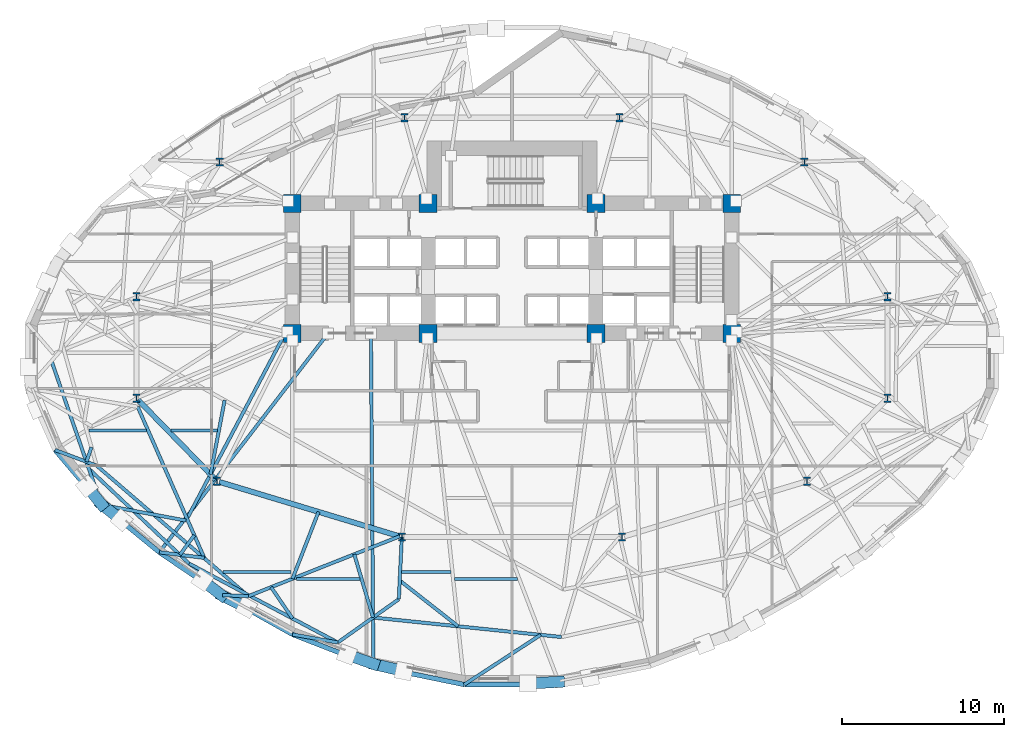
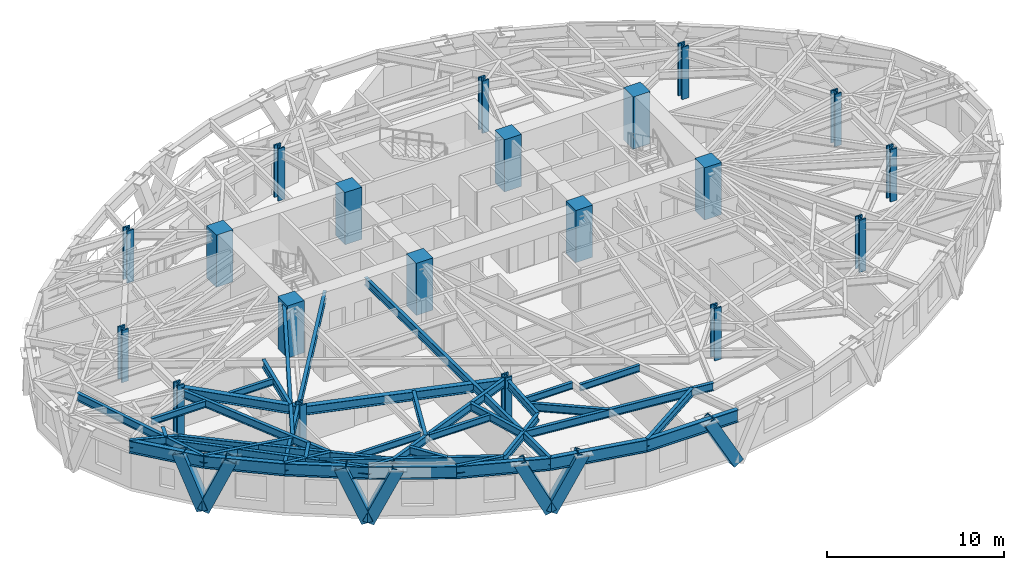
# One storey, part 1 of 17: 40 beams, 20 columns, 7 members.
"""IFC4 building model written with IfcOpenShell, lengths in metres."""

from ifc_helpers import new_model, si_unit, direction, frame, origin, origin_2d, place, context, subcontext, project, spatial, rectangle, hollow_rectangle, i_section, extrude, material, material_profile, profile_set, type_object, element, save


model = new_model("IFC4")

# Units and contexts
model_context = context("Model", 3, precision=1e-05, world=origin(), true_north=direction((0.0, 1.0)))
body_context = subcontext(model_context, "Body", "Model", "MODEL_VIEW")
ifc_project = project(units=[si_unit("LENGTHUNIT", "METRE"), si_unit("AREAUNIT", "SQUARE_METRE"), si_unit("VOLUMEUNIT", "CUBIC_METRE"), si_unit("PLANEANGLEUNIT", "RADIAN"), si_unit("MASSUNIT", "GRAM", prefix="KILO")], contexts=[model_context])

# Site, building, storey
site_placement = place(None, origin())
site = spatial("IfcSite", under=ifc_project, at=site_placement, CompositionType="ELEMENT")
building_placement = place(site_placement, origin())
building = spatial("IfcBuilding", under=site, at=building_placement, Name="Keldmark Tower", CompositionType="ELEMENT")
storey_placement = place(building_placement, frame((0.0, 0.0, 70.199951171875)))
storey = spatial("IfcBuildingStorey", under=building, at=storey_placement, Name="L18", CompositionType="ELEMENT", Elevation=70.199951171875)

# Columns
ifc_material_1 = material(Name="Concrete C70/85", Category="concrete")
ifc_material_profile_1 = material_profile(ifc_material_1, rectangle(XDim=1.10009765625, YDim=1.10009765625, at=origin_2d()), Name="RC1100X1100")
ifc_profile_set_1 = profile_set([ifc_material_profile_1], Name="Concrete C70/85")
column_type_1 = type_object("IfcColumnType", Name="Core Boundary Column RC1100", PredefinedType="COLUMN", material=ifc_profile_set_1)
for number, where, z_axis, x_axis, name in (
    (1, (-13.60009765625, 1.39990234375, 0.0), (0.0, 0.0, 1.0), (1.0, 0.0, 0.0), "L18 Core Boundary Column CC-W1"),
    (2, (-13.60009765625, 9.449951171875, 0.0), (0.0, 0.0, 1.0), (1.0, 0.0, 0.0), "L18 Core Boundary Column CC-W2"),
    (3, (-5.199951171875, 1.39990234375, 0.0), (0.0, 0.0, 1.0), (1.0, 0.0, 0.0), "L18 Core Boundary Column CC-W3"),
    (4, (-5.199951171875, 9.449951171875, 0.0), (0.0, 0.0, 1.0), (1.0, 0.0, 0.0), "L18 Core Boundary Column CC-W4"),
    (5, (5.199951171875, 1.39990234375, 0.0), (0.0, 0.0, 1.0), (1.0, 0.0, 0.0), "L18 Core Boundary Column CC-E1"),
    (6, (5.199951171875, 9.449951171875, 0.0), (0.0, 0.0, 1.0), (1.0, 0.0, 0.0), "L18 Core Boundary Column CC-E2"),
    (7, (13.60009765625, 1.39990234375, 0.0), (0.0, 0.0, 1.0), (1.0, 0.0, 0.0), "L18 Core Boundary Column CC-E3"),
    (8, (13.60009765625, 9.449951171875, 0.0), (0.0, 0.0, 1.0), (1.0, 0.0, 0.0), "L18 Core Boundary Column CC-E4"),
):
    element("IfcColumn", number, at=place(storey_placement, frame(where, z_axis=z_axis, x_axis=x_axis)), inside=storey, type_object=column_type_1, Name=name, PredefinedType="COLUMN", context=body_context, shape_type="SweptSolid", body=[
        extrude(rectangle(XDim=1.10009765625, YDim=1.10009765625, at=origin_2d()), origin(), (0.0, 0.0, 1.0), 3.60009765625),
    ])
ifc_material_2 = material(Name="Steel ASTM A992 Grade 50", Category="steel")
ifc_material_profile_2 = material_profile(ifc_material_2, i_section(OverallWidth=0.43701171875, OverallDepth=0.513916015625, WebThickness=0.060546875, FlangeThickness=0.096923828125, at=origin_2d()), Name="W14X550")
ifc_profile_set_2 = profile_set([ifc_material_profile_2], Name="Steel ASTM A992 Grade 50")
column_type_2 = type_object("IfcColumnType", Name="Tower Gravity Column W14X550", PredefinedType="COLUMN", material=ifc_profile_set_2)
for number, where, z_axis, x_axis, name in (
    (9, (23.25390625, 3.67724609375, 0.0), (0.0, 0.0, 1.0), (1.0, 0.0, 0.0), "L18 Tower Gravity Column TC-E1"),
    (10, (18.09765625, 12.00732421875, 0.0), (0.0, 0.0, 1.0), (1.0, 0.0, 0.0), "L18 Tower Gravity Column TC-E4"),
    (11, (6.6650390625, 14.760009765625, 0.0), (0.0, 0.0, 1.0), (1.0, 0.0, 0.0), "L18 Tower Gravity Column TC-N2"),
    (12, (-6.6650390625, 14.760009765625, 0.0), (0.0, 0.0, 1.0), (1.0, 0.0, 0.0), "L18 Tower Gravity Column TC-N1"),
    (13, (-18.09765625, 12.00732421875, 0.0), (0.0, 0.0, 1.0), (1.0, 0.0, 0.0), "L18 Tower Gravity Column TC-W4"),
    (14, (-23.25390625, 3.67724609375, 0.0), (0.0, 0.0, 1.0), (1.0, 0.0, 0.0), "L18 Tower Gravity Column TC-W1"),
    (15, (-23.25390625, -2.61328125, 0.0), (0.0, 0.0, 1.0), (1.0, 0.0, 0.0), "L18 Tower Gravity Column TC-W5"),
    (16, (-18.252685546875, -7.755615234375, 0.0), (0.0, 0.0, 1.0), (1.0, 0.0, 0.0), "L18 Tower Gravity Column TC-W2"),
    (17, (-6.822021484375, -11.205810546875, 0.0), (0.0, 0.0, 1.0), (1.0, 0.0, 0.0), "L18 Tower Gravity Column TC-W3"),
    (18, (6.822021484375, -11.205810546875, 0.0), (0.0, 0.0, 1.0), (1.0, 0.0, 0.0), "L18 Tower Gravity Column TC-E3"),
    (19, (18.252685546875, -7.755615234375, 0.0), (0.0, 0.0, 1.0), (1.0, 0.0, 0.0), "L18 Tower Gravity Column TC-E2"),
    (20, (23.25390625, -2.61328125, 0.0), (0.0, 0.0, 1.0), (1.0, 0.0, 0.0), "L18 Tower Gravity Column TC-E5"),
):
    element("IfcColumn", number, at=place(storey_placement, frame(where, z_axis=z_axis, x_axis=x_axis)), inside=storey, type_object=column_type_2, Name=name, PredefinedType="COLUMN", context=body_context, shape_type="SweptSolid", body=[
        extrude(i_section(OverallWidth=0.43701171875, OverallDepth=0.513916015625, WebThickness=0.060546875, FlangeThickness=0.096923828125, at=origin_2d()), origin(), (0.0, 0.0, 1.0), 3.60009765625),
    ])

# Beams
ifc_material_3 = material(Name="Steel ASTM A992 Grade 50", Category="steel")
ifc_material_profile_3 = material_profile(ifc_material_3, i_section(OverallWidth=0.19091796875, OverallDepth=0.45703125, WebThickness=0.009033203125, FlangeThickness=0.014404296875, at=origin_2d()), Name="W18X50")
ifc_profile_set_3 = profile_set([ifc_material_profile_3], Name="Steel ASTM A992 Grade 50")
beam_type_1 = type_object("IfcBeamType", Name="Composite Floor Joist W18X50", PredefinedType="JOIST", material=ifc_profile_set_3)
beam_1_placement = place(storey_placement, frame((-17.904052734375, -13.3798828125, 3.171630859375), z_axis=(1.0, 0.0, 0.0), x_axis=(0.0, 1.0, 0.0)))
element("IfcBeam", 21, at=beam_1_placement, inside=storey, type_object=beam_type_1, Name="L18 Composite Floor Joist J01", PredefinedType="JOIST", context=body_context, shape_type="SweptSolid", body=[
    extrude(i_section(OverallWidth=0.19091796875, OverallDepth=0.45703125, WebThickness=0.009033203125, FlangeThickness=0.014404296875, at=origin_2d()), origin(), (0.0, 0.0, 1.0), 4.215576171875),
])
beam_2_placement = place(storey_placement, frame((-13.345947265625, -13.800048828125, 3.171630859375), z_axis=(1.0, 0.0, 0.0), x_axis=(0.0, 1.0, 0.0)))
element("IfcBeam", 22, at=beam_2_placement, inside=storey, type_object=beam_type_1, Name="L18 Composite Floor Joist J02", PredefinedType="JOIST", context=body_context, shape_type="SweptSolid", body=[
    extrude(i_section(OverallWidth=0.19091796875, OverallDepth=0.45703125, WebThickness=0.009033203125, FlangeThickness=0.014404296875, at=origin_2d()), origin(), (0.0, 0.0, 1.0), 3.93115234375),
])
beam_3_placement = place(storey_placement, frame((-6.830078125, -13.3798828125, 3.171630859375), z_axis=(1.0, 0.0, 0.0), x_axis=(0.0, 1.0, 0.0)))
element("IfcBeam", 23, at=beam_3_placement, inside=storey, type_object=beam_type_1, Name="L18 Composite Floor Joist J03", PredefinedType="JOIST", context=body_context, shape_type="SweptSolid", body=[
    extrude(i_section(OverallWidth=0.19091796875, OverallDepth=0.45703125, WebThickness=0.009033203125, FlangeThickness=0.014404296875, at=origin_2d()), origin(), (0.0, 0.0, 1.0), 3.044189453125),
])
beam_4_placement = place(storey_placement, frame((-3.548583984375, -13.800048828125, 3.171630859375), z_axis=(1.0, 0.0, 0.0), x_axis=(0.0, 1.0, 0.0)))
element("IfcBeam", 24, at=beam_4_placement, inside=storey, type_object=beam_type_1, Name="L18 Composite Floor Joist J04", PredefinedType="JOIST", context=body_context, shape_type="SweptSolid", body=[
    extrude(i_section(OverallWidth=0.19091796875, OverallDepth=0.45703125, WebThickness=0.009033203125, FlangeThickness=0.014404296875, at=origin_2d()), origin(), (0.0, 0.0, 1.0), 3.89404296875),
])
beam_5_placement = place(storey_placement, frame((-26.190185546875, -4.60009765625, 3.171630859375), z_axis=(1.0, 0.0, 0.0), x_axis=(0.0, 1.0, 0.0)))
element("IfcBeam", 25, at=beam_5_placement, inside=storey, type_object=beam_type_1, Name="L18 Composite Floor Joist J08", PredefinedType="JOIST", context=body_context, shape_type="SweptSolid", body=[
    extrude(i_section(OverallWidth=0.19091796875, OverallDepth=0.45703125, WebThickness=0.009033203125, FlangeThickness=0.014404296875, at=origin_2d()), origin(), (0.0, 0.0, 1.0), 3.54833984375),
])
beam_6_placement = place(storey_placement, frame((-21.1064453125, -4.60009765625, 3.171630859375), z_axis=(1.0, 0.0, 0.0), x_axis=(0.0, 1.0, 0.0)))
element("IfcBeam", 26, at=beam_6_placement, inside=storey, type_object=beam_type_1, Name="L18 Composite Floor Joist J09", PredefinedType="JOIST", context=body_context, shape_type="SweptSolid", body=[
    extrude(i_section(OverallWidth=0.19091796875, OverallDepth=0.45703125, WebThickness=0.009033203125, FlangeThickness=0.014404296875, at=origin_2d()), origin(), (0.0, 0.0, 1.0), 2.861083984375),
])

# Members
ifc_material_4 = material(Name="Steel ASTM A572 Grade 50", Category="steel")
ifc_material_profile_4 = material_profile(ifc_material_4, hollow_rectangle(XDim=0.699951171875, YDim=0.699951171875, WallThickness=0.054931640625, at=origin_2d()), Name="BOX700X700X55")
ifc_profile_set_4 = profile_set([ifc_material_profile_4], Name="Steel ASTM A572 Grade 50")
member_type = type_object("IfcMemberType", Name="Diagrid Zone 1 Brace BOX700X700X55", PredefinedType="BRACE", material=ifc_profile_set_4)
member_1_placement = place(storey_placement, frame((-25.398193359375, -9.208740234375, -0.280029296875), z_axis=(-0.24071139751, 0.296547822261, 0.924184728407), x_axis=(-0.776413377825, -0.630223981402, 0.0)))
element("IfcMember", 27, at=member_1_placement, inside=storey, type_object=member_type, Name="L18 Perimeter Diagrid Brace 09B", PredefinedType="BRACE", context=body_context, shape_type="SweptSolid", body=[
    extrude(hollow_rectangle(XDim=0.699951171875, YDim=0.699951171875, WallThickness=0.054931640625, at=origin_2d()), origin(), (0.0, 0.0, 1.0), 3.85205078125),
])
member_2_placement = place(storey_placement, frame((-25.402587890625, -9.19775390625, -0.280029296875), z_axis=(0.315248396849, -0.249121591693, 0.915727514513), x_axis=(0.620014148641, 0.784590629236, 0.0)))
element("IfcMember", 28, at=member_2_placement, inside=storey, type_object=member_type, Name="L18 Perimeter Diagrid Brace 10A", PredefinedType="BRACE", context=body_context, shape_type="SweptSolid", body=[
    extrude(hollow_rectangle(XDim=0.699951171875, YDim=0.699951171875, WallThickness=0.054931640625, at=origin_2d()), origin(), (0.0, 0.0, 1.0), 3.8876953125),
])
member_3_placement = place(storey_placement, frame((-17.95361328125, -14.833984375, -0.280029296875), z_axis=(-0.316031043879, 0.244425840184, 0.916722634146), x_axis=(-0.611792278259, -0.791018462656, 0.0)))
element("IfcMember", 29, at=member_3_placement, inside=storey, type_object=member_type, Name="L18 Perimeter Diagrid Brace 10B", PredefinedType="BRACE", context=body_context, shape_type="SweptSolid", body=[
    extrude(hollow_rectangle(XDim=0.699951171875, YDim=0.699951171875, WallThickness=0.054931640625, at=origin_2d()), origin(), (0.0, 0.0, 1.0), 3.883544921875),
])
member_4_placement = place(storey_placement, frame((-17.9619140625, -14.82568359375, -0.280029296875), z_axis=(0.385982173744, -0.189399979063, 0.902854035536), x_axis=(0.440519164333, 0.897743207078, 0.0)))
element("IfcMember", 30, at=member_4_placement, inside=storey, type_object=member_type, Name="L18 Perimeter Diagrid Brace 11A", PredefinedType="BRACE", context=body_context, shape_type="SweptSolid", body=[
    extrude(hollow_rectangle(XDim=0.699951171875, YDim=0.699951171875, WallThickness=0.054931640625, at=origin_2d()), origin(), (0.0, 0.0, 1.0), 3.943115234375),
])
member_5_placement = place(storey_placement, frame((-8.531982421875, -19.082275390625, -0.280029296875), z_axis=(-0.424501493486, 0.149665558292, 0.892971837568), x_axis=(-0.33250697435, -0.943100796314, 0.0)))
element("IfcMember", 31, at=member_5_placement, inside=storey, type_object=member_type, Name="L18 Perimeter Diagrid Brace 11B", PredefinedType="BRACE", context=body_context, shape_type="SweptSolid", body=[
    extrude(hollow_rectangle(XDim=0.699951171875, YDim=0.699951171875, WallThickness=0.054931640625, at=origin_2d()), origin(), (0.0, 0.0, 1.0), 3.98681640625),
])
member_6_placement = place(storey_placement, frame((-8.54296875, -19.077880859375, -0.280029296875), z_axis=(0.458929368937, -0.108548981057, 0.881816847785), x_axis=(0.230175603332, 0.973149110687, 0.0)))
element("IfcMember", 32, at=member_6_placement, inside=storey, type_object=member_type, Name="L18 Perimeter Diagrid Brace 12A", PredefinedType="BRACE", context=body_context, shape_type="SweptSolid", body=[
    extrude(hollow_rectangle(XDim=0.699951171875, YDim=0.699951171875, WallThickness=0.054931640625, at=origin_2d()), origin(), (0.0, 0.0, 1.0), 4.037109375),
])
member_7_placement = place(storey_placement, frame((2.944580078125, -20.171142578125, -0.280029296875), z_axis=(-0.480891950944, -0.028185244313, 0.876326721903), x_axis=(0.058509937696, -0.998286826113, 0.0)))
element("IfcMember", 33, at=member_7_placement, inside=storey, type_object=member_type, Name="L18 Perimeter Diagrid Brace 12B", PredefinedType="BRACE", context=body_context, shape_type="SweptSolid", body=[
    extrude(hollow_rectangle(XDim=0.699951171875, YDim=0.699951171875, WallThickness=0.054931640625, at=origin_2d()), origin(), (0.0, 0.0, 1.0), 4.0625),
])

# Beams
ifc_material_5 = material(Name="Steel ASTM A992 Grade 50", Category="steel")
ifc_material_profile_5 = material_profile(ifc_material_5, i_section(OverallWidth=0.323974609375, OverallDepth=0.611083984375, WebThickness=0.0126953125, FlangeThickness=0.01904296875, at=origin_2d()), Name="W24X104")
ifc_profile_set_5 = profile_set([ifc_material_profile_5], Name="Steel ASTM A992 Grade 50")
beam_type_2 = type_object("IfcBeamType", Name="Primary Floor Girder W24X104", PredefinedType="BEAM", material=ifc_profile_set_5)
beam_7_placement = place(storey_placement, frame((-23.156494140625, -2.713623046875, 3.094482421875), z_axis=(0.697210382268, -0.716866572563, 0.0), x_axis=(0.716866572563, 0.697210382268, 0.0)))
element("IfcBeam", 34, at=beam_7_placement, inside=storey, type_object=beam_type_2, Name="L18 Floor Ring Girder FG-R07", PredefinedType="BEAM", context=body_context, shape_type="SweptSolid", body=[
    extrude(i_section(OverallWidth=0.323974609375, OverallDepth=0.611083984375, WebThickness=0.0126953125, FlangeThickness=0.01904296875, at=origin_2d()), origin(), (0.0, 0.0, 1.0), 6.893310546875),
])
beam_8_placement = place(storey_placement, frame((-18.118896484375, -7.796142578125, 3.094482421875), z_axis=(0.957346071406, -0.2889437654, 0.0), x_axis=(0.2889437654, 0.957346071406, 0.0)))
element("IfcBeam", 35, at=beam_8_placement, inside=storey, type_object=beam_type_2, Name="L18 Floor Ring Girder FG-R08", PredefinedType="BEAM", context=body_context, shape_type="SweptSolid", body=[
    extrude(i_section(OverallWidth=0.323974609375, OverallDepth=0.611083984375, WebThickness=0.0126953125, FlangeThickness=0.01904296875, at=origin_2d()), origin(), (0.0, 0.0, 1.0), 11.66015625),
])
ifc_material_6 = material(Name="Steel ASTM A992 Grade 50", Category="steel")
ifc_material_profile_6 = material_profile(ifc_material_6, i_section(OverallWidth=0.2099609375, OverallDepth=0.537109375, WebThickness=0.010986328125, FlangeThickness=0.017333984375, at=origin_2d()), Name="W21X68")
ifc_profile_set_6 = profile_set([ifc_material_profile_6], Name="Steel ASTM A992 Grade 50")
beam_type_3 = type_object("IfcBeamType", Name="Radial Tie Girder W21X68", PredefinedType="BEAM", material=ifc_profile_set_6)
beam_9_placement = place(storey_placement, frame((-28.296630859375, -5.8203125, 3.131591796875), z_axis=(0.936536858672, -0.350569126349, 0.0), x_axis=(0.350569126349, 0.936536858672, 0.0)))
element("IfcBeam", 36, at=beam_9_placement, inside=storey, type_object=beam_type_3, Name="L18 Local Collector Chord RT-19C", PredefinedType="BEAM", context=body_context, shape_type="SweptSolid", body=[
    extrude(i_section(OverallWidth=0.2099609375, OverallDepth=0.537109375, WebThickness=0.010986328125, FlangeThickness=0.017333984375, at=origin_2d()), origin(), (0.0, 0.0, 1.0), 2.75146484375),
])
beam_10_placement = place(storey_placement, frame((-26.041259765625, -5.648681640625, 3.131591796875), z_axis=(-0.324219397928, -0.945981914207, 0.0), x_axis=(0.945981914207, -0.324219397928, 0.0)))
element("IfcBeam", 37, at=beam_10_placement, inside=storey, type_object=beam_type_3, Name="L18 Framing Pin Header PH-031", PredefinedType="BEAM", context=body_context, shape_type="SweptSolid", body=[
    extrude(i_section(OverallWidth=0.2099609375, OverallDepth=0.537109375, WebThickness=0.010986328125, FlangeThickness=0.017333984375, at=origin_2d()), origin(), (0.0, 0.0, 1.0), 0.951904296875),
])
beam_11_placement = place(storey_placement, frame((-28.51318359375, -0.30615234375, 3.131591796875), z_axis=(0.327437810304, -0.944872732374, 0.0), x_axis=(0.944872732374, 0.327437810304, 0.0)))
element("IfcBeam", 38, at=beam_11_placement, inside=storey, type_object=beam_type_3, Name="L18 Perimeter Radial Tie Girder RT-19", PredefinedType="BEAM", context=body_context, shape_type="SweptSolid", body=[
    extrude(i_section(OverallWidth=0.2099609375, OverallDepth=0.537109375, WebThickness=0.010986328125, FlangeThickness=0.017333984375, at=origin_2d()), origin(), (0.0, 0.0, 1.0), 9.428955078125),
])
beam_12_placement = place(storey_placement, frame((-17.791748046875, -2.735595703125, 3.131591796875), z_axis=(-0.187392817072, -0.982285056442, 0.0), x_axis=(0.982285056442, -0.187392817072, 0.0)))
element("IfcBeam", 39, at=beam_12_placement, inside=storey, type_object=beam_type_3, Name="L18 Framing Pin Header PH-032", PredefinedType="BEAM", context=body_context, shape_type="SweptSolid", body=[
    extrude(i_section(OverallWidth=0.2099609375, OverallDepth=0.537109375, WebThickness=0.010986328125, FlangeThickness=0.017333984375, at=origin_2d()), origin(), (0.0, 0.0, 1.0), 4.67578125),
])
beam_13_placement = place(storey_placement, frame((-14.050048828125, 1.39990234375, 3.131591796875), z_axis=(-0.467632813304, -0.883922820116, 0.0), x_axis=(0.883922820116, -0.467632813304, 0.0)))
element("IfcBeam", 40, at=beam_13_placement, inside=storey, type_object=beam_type_3, Name="L18 Intermediate Radial Step Girder RT-20M", PredefinedType="BEAM", context=body_context, shape_type="SweptSolid", body=[
    extrude(i_section(OverallWidth=0.2099609375, OverallDepth=0.537109375, WebThickness=0.010986328125, FlangeThickness=0.017333984375, at=origin_2d()), origin(), (0.0, 0.0, 1.0), 13.114501953125),
])
beam_14_placement = place(storey_placement, frame((-25.42578125, -9.21533203125, 3.131591796875), z_axis=(0.983075254112, -0.183202196366, 0.0), x_axis=(0.183202196366, 0.983075254112, 0.0)))
element("IfcBeam", 41, at=beam_14_placement, inside=storey, type_object=beam_type_3, Name="L18 Local Collector Chord RT-20C", PredefinedType="BEAM", context=body_context, shape_type="SweptSolid", body=[
    extrude(i_section(OverallWidth=0.2099609375, OverallDepth=0.537109375, WebThickness=0.010986328125, FlangeThickness=0.017333984375, at=origin_2d()), origin(), (0.0, 0.0, 1.0), 5.333251953125),
])
beam_15_placement = place(storey_placement, frame((-11.392822265625, 1.39990234375, 3.131591796875), z_axis=(-0.610456581612, -0.792049721903, 0.0), x_axis=(0.792049721903, -0.610456581612, 0.0)))
element("IfcBeam", 42, at=beam_15_placement, inside=storey, type_object=beam_type_3, Name="L18 Perimeter Radial Tie Girder RT-20", PredefinedType="BEAM", context=body_context, shape_type="SweptSolid", body=[
    extrude(i_section(OverallWidth=0.2099609375, OverallDepth=0.537109375, WebThickness=0.010986328125, FlangeThickness=0.017333984375, at=origin_2d()), origin(), (0.0, 0.0, 1.0), 17.110595703125),
])
beam_16_placement = place(storey_placement, frame((-23.178955078125, -3.14306640625, 3.131591796875), z_axis=(0.403509719417, -0.914975358322, 0.0), x_axis=(0.914975358322, 0.403509719417, 0.0)))
element("IfcBeam", 43, at=beam_16_placement, inside=storey, type_object=beam_type_3, Name="L18 Intermediate Radial Step Girder RT-21M", PredefinedType="BEAM", context=body_context, shape_type="SweptSolid", body=[
    extrude(i_section(OverallWidth=0.2099609375, OverallDepth=0.537109375, WebThickness=0.010986328125, FlangeThickness=0.017333984375, at=origin_2d()), origin(), (0.0, 0.0, 1.0), 10.226318359375),
])
beam_17_placement = place(storey_placement, frame((-21.838134765625, -12.152587890625, 3.131591796875), z_axis=(0.992312625158, -0.123756429939, 0.0), x_axis=(0.123756429939, 0.992312625158, 0.0)))
element("IfcBeam", 44, at=beam_17_placement, inside=storey, type_object=beam_type_3, Name="L18 Local Collector Chord RT-21C", PredefinedType="BEAM", context=body_context, shape_type="SweptSolid", body=[
    extrude(i_section(OverallWidth=0.2099609375, OverallDepth=0.537109375, WebThickness=0.010986328125, FlangeThickness=0.017333984375, at=origin_2d()), origin(), (0.0, 0.0, 1.0), 2.80712890625),
])
beam_18_placement = place(storey_placement, frame((-19.67138671875, -11.096435546875, 3.131591796875), z_axis=(-0.592016338169, -0.805925961451, 0.0), x_axis=(0.805925961451, -0.592016338169, 0.0)))
element("IfcBeam", 45, at=beam_18_placement, inside=storey, type_object=beam_type_3, Name="L18 Framing Pin Header PH-033", PredefinedType="BEAM", context=body_context, shape_type="SweptSolid", body=[
    extrude(i_section(OverallWidth=0.2099609375, OverallDepth=0.537109375, WebThickness=0.010986328125, FlangeThickness=0.017333984375, at=origin_2d()), origin(), (0.0, 0.0, 1.0), 1.5078125),
])
beam_19_placement = place(storey_placement, frame((-26.19775390625, -6.988037109375, 3.131591796875), z_axis=(0.726829380415, -0.686818063075, 0.0), x_axis=(0.686818063075, 0.726829380415, 0.0)))
element("IfcBeam", 46, at=beam_19_placement, inside=storey, type_object=beam_type_3, Name="L18 Perimeter Radial Tie Girder RT-21", PredefinedType="BEAM", context=body_context, shape_type="SweptSolid", body=[
    extrude(i_section(OverallWidth=0.2099609375, OverallDepth=0.537109375, WebThickness=0.010986328125, FlangeThickness=0.017333984375, at=origin_2d()), origin(), (0.0, 0.0, 1.0), 11.385986328125),
])
beam_20_placement = place(storey_placement, frame((-25.7197265625, -6.784912109375, 3.131591796875), z_axis=(0.758064078884, -0.652180076594, 0.0), x_axis=(0.652180076594, 0.758064078884, 0.0)))
element("IfcBeam", 47, at=beam_20_placement, inside=storey, type_object=beam_type_3, Name="L18 Intermediate Radial Step Girder RT-22M", PredefinedType="BEAM", context=body_context, shape_type="SweptSolid", body=[
    extrude(i_section(OverallWidth=0.2099609375, OverallDepth=0.537109375, WebThickness=0.010986328125, FlangeThickness=0.017333984375, at=origin_2d()), origin(), (0.0, 0.0, 1.0), 12.39794921875),
])
beam_21_placement = place(storey_placement, frame((-17.922119140625, -14.80810546875, 3.131591796875), z_axis=(0.999238721756, -0.039012522917, 0.0), x_axis=(0.039012522917, 0.999238721756, 0.0)))
element("IfcBeam", 48, at=beam_21_placement, inside=storey, type_object=beam_type_3, Name="L18 Local Collector Chord RT-22C", PredefinedType="BEAM", context=body_context, shape_type="SweptSolid", body=[
    extrude(i_section(OverallWidth=0.2099609375, OverallDepth=0.537109375, WebThickness=0.010986328125, FlangeThickness=0.017333984375, at=origin_2d()), origin(), (0.0, 0.0, 1.0), 1.60205078125),
])
beam_22_placement = place(storey_placement, frame((-16.3212890625, -14.87060546875, 3.131591796875), z_axis=(0.929866051593, 0.367898255084, 0.0), x_axis=(-0.367898255084, 0.929866051593, 0.0)))
element("IfcBeam", 49, at=beam_22_placement, inside=storey, type_object=beam_type_3, Name="L18 Straddling Support Chord RT-22RB", PredefinedType="BEAM", context=body_context, shape_type="SweptSolid", body=[
    extrude(i_section(OverallWidth=0.2099609375, OverallDepth=0.537109375, WebThickness=0.010986328125, FlangeThickness=0.017333984375, at=origin_2d()), origin(), (0.0, 0.0, 1.0), 10.071533203125),
])
beam_23_placement = place(storey_placement, frame((-11.979248046875, -9.649169921875, 3.131591796875), z_axis=(-0.362918047298, -0.931821061656, 0.0), x_axis=(0.931821061656, -0.362918047298, 0.0)))
element("IfcBeam", 50, at=beam_23_placement, inside=storey, type_object=beam_type_3, Name="L18 Framing Pin Header PH-045", PredefinedType="BEAM", context=body_context, shape_type="SweptSolid", body=[
    extrude(i_section(OverallWidth=0.2099609375, OverallDepth=0.537109375, WebThickness=0.010986328125, FlangeThickness=0.017333984375, at=origin_2d()), origin(), (0.0, 0.0, 1.0), 4.444580078125),
])
beam_24_placement = place(storey_placement, frame((-14.91650390625, -14.314697265625, 3.131591796875), z_axis=(0.564788316155, -0.82523581959, 0.0), x_axis=(0.82523581959, 0.564788316155, 0.0)))
element("IfcBeam", 51, at=beam_24_placement, inside=storey, type_object=beam_type_3, Name="L18 Framing Pin Header PH-046", PredefinedType="BEAM", context=body_context, shape_type="SweptSolid", body=[
    extrude(i_section(OverallWidth=0.2099609375, OverallDepth=0.537109375, WebThickness=0.010986328125, FlangeThickness=0.017333984375, at=origin_2d()), origin(), (0.0, 0.0, 1.0), 2.34716796875),
])
beam_25_placement = place(storey_placement, frame((-19.990966796875, -12.85302734375, 3.131591796875), z_axis=(0.883188813892, -0.469017610561, 0.0), x_axis=(0.469017610561, 0.883188813892, 0.0)))
element("IfcBeam", 52, at=beam_25_placement, inside=storey, type_object=beam_type_3, Name="L18 Crown Step Radial Girder RT-23RN1", PredefinedType="BEAM", context=body_context, shape_type="SweptSolid", body=[
    extrude(i_section(OverallWidth=0.2099609375, OverallDepth=0.537109375, WebThickness=0.010986328125, FlangeThickness=0.017333984375, at=origin_2d()), origin(), (0.0, 0.0, 1.0), 10.420654296875),
])
beam_26_placement = place(storey_placement, frame((-10.78759765625, -17.740478515625, 3.131591796875), z_axis=(-0.984486881248, 0.175458202006, 0.0), x_axis=(-0.175458202006, -0.984486881248, 0.0)))
element("IfcBeam", 53, at=beam_26_placement, inside=storey, type_object=beam_type_3, Name="L18 Crown Step Collector Chord RT-23RP1", PredefinedType="BEAM", context=body_context, shape_type="SweptSolid", body=[
    extrude(i_section(OverallWidth=0.2099609375, OverallDepth=0.537109375, WebThickness=0.010986328125, FlangeThickness=0.017333984375, at=origin_2d()), origin(), (0.0, 0.0, 1.0), 2.846923828125),
])
beam_27_placement = place(storey_placement, frame((-6.822021484375, -11.205810546875, 3.131591796875), z_axis=(-0.04781186527, -0.998856358812, 0.0), x_axis=(0.998856358812, -0.04781186527, 0.0)))
element("IfcBeam", 54, at=beam_27_placement, inside=storey, type_object=beam_type_3, Name="L18 Column Step Bracket RT-23RS", PredefinedType="BEAM", context=body_context, shape_type="SweptSolid", body=[
    extrude(i_section(OverallWidth=0.2099609375, OverallDepth=0.537109375, WebThickness=0.010986328125, FlangeThickness=0.017333984375, at=origin_2d()), origin(), (0.0, 0.0, 1.0), 3.855224609375),
])
beam_28_placement = place(storey_placement, frame((-7.00634765625, -15.056640625, 3.131591796875), z_axis=(-0.815469466984, -0.578800093657, 0.0), x_axis=(0.578800093657, -0.815469466984, 0.0)))
element("IfcBeam", 55, at=beam_28_placement, inside=storey, type_object=beam_type_3, Name="L18 Column Step Chord RT-23RK", PredefinedType="BEAM", context=body_context, shape_type="SweptSolid", body=[
    extrude(i_section(OverallWidth=0.2099609375, OverallDepth=0.537109375, WebThickness=0.010986328125, FlangeThickness=0.017333984375, at=origin_2d()), origin(), (0.0, 0.0, 1.0), 4.636962890625),
])
beam_29_placement = place(storey_placement, frame((-9.765625, -12.27685546875, 3.131591796875), z_axis=(0.28406593635, -0.958804747488, 0.0), x_axis=(0.958804747488, 0.28406593635, 0.0)))
element("IfcBeam", 56, at=beam_29_placement, inside=storey, type_object=beam_type_3, Name="L18 Framing Pin Header PH-047", PredefinedType="BEAM", context=body_context, shape_type="SweptSolid", body=[
    extrude(i_section(OverallWidth=0.2099609375, OverallDepth=0.537109375, WebThickness=0.010986328125, FlangeThickness=0.017333984375, at=origin_2d()), origin(), (0.0, 0.0, 1.0), 4.083251953125),
])
beam_30_placement = place(storey_placement, frame((-8.735595703125, 1.39990234375, 3.131591796875), z_axis=(0.007375934824, -0.999972797423, 0.0), x_axis=(0.999972797423, 0.007375934824, 0.0)))
element("IfcBeam", 57, at=beam_30_placement, inside=storey, type_object=beam_type_3, Name="L18 Perimeter Radial Tie Girder RT-23R", PredefinedType="BEAM", context=body_context, shape_type="SweptSolid", body=[
    extrude(i_section(OverallWidth=0.2099609375, OverallDepth=0.537109375, WebThickness=0.010986328125, FlangeThickness=0.017333984375, at=origin_2d()), origin(), (0.0, 0.0, 1.0), 20.587890625),
])
beam_31_placement = place(storey_placement, frame((-8.605712890625, -16.19189453125, 3.131591796875), z_axis=(0.994685479808, -0.102960168312, 0.0), x_axis=(0.102960168312, 0.994685479808, 0.0)))
element("IfcBeam", 58, at=beam_31_placement, inside=storey, type_object=beam_type_3, Name="L18 Straddling Support Chord RT-24RB", PredefinedType="BEAM", context=body_context, shape_type="SweptSolid", body=[
    extrude(i_section(OverallWidth=0.2099609375, OverallDepth=0.537109375, WebThickness=0.010986328125, FlangeThickness=0.017333984375, at=origin_2d()), origin(), (0.0, 0.0, 1.0), 11.739990234375),
])
beam_32_placement = place(storey_placement, frame((-6.951171875, -13.901611328125, 3.131591796875), z_axis=(0.786871123172, -0.617117359598, 0.0), x_axis=(0.617117359598, 0.786871123172, 0.0)))
element("IfcBeam", 59, at=beam_32_placement, inside=storey, type_object=beam_type_3, Name="L18 Framing Pin Header PH-048", PredefinedType="BEAM", context=body_context, shape_type="SweptSolid", body=[
    extrude(i_section(OverallWidth=0.2099609375, OverallDepth=0.537109375, WebThickness=0.010986328125, FlangeThickness=0.017333984375, at=origin_2d()), origin(), (0.0, 0.0, 1.0), 4.594970703125),
])
beam_33_placement = place(storey_placement, frame((-2.955078125, -20.34521484375, 3.131591796875), z_axis=(0.838173741859, 0.545403317242, 0.0), x_axis=(-0.545403317242, 0.838173741859, 0.0)))
element("IfcBeam", 60, at=beam_33_placement, inside=storey, type_object=beam_type_3, Name="L18 Framing Pin Header PH-049", PredefinedType="BEAM", context=body_context, shape_type="SweptSolid", body=[
    extrude(i_section(OverallWidth=0.2099609375, OverallDepth=0.537109375, WebThickness=0.010986328125, FlangeThickness=0.017333984375, at=origin_2d()), origin(), (0.0, 0.0, 1.0), 5.644775390625),
])
ifc_material_7 = material(Name="Steel ASTM A992 Grade 50", Category="steel")
ifc_material_profile_7 = material_profile(ifc_material_7, i_section(OverallWidth=0.2919921875, OverallDepth=0.85888671875, WebThickness=0.01708984375, FlangeThickness=0.031005859375, at=origin_2d()), Name="W33X169")
ifc_profile_set_7 = profile_set([ifc_material_profile_7], Name="Steel ASTM A992 Grade 50")
beam_type_4 = type_object("IfcBeamType", Name="Spandrel Ring Beam W33X169", PredefinedType="SPANDREL", material=ifc_profile_set_7)
beam_34_placement = place(storey_placement, frame((-28.296630859375, -5.8203125, 2.970458984375), z_axis=(0.645698517297, -0.763592446767, 0.0), x_axis=(0.763592446767, 0.645698517297, 0.0)))
element("IfcBeam", 61, at=beam_34_placement, inside=storey, type_object=beam_type_4, Name="L18 Perimeter Spandrel Ring Beam SRB-18", PredefinedType="SPANDREL", context=body_context, shape_type="SweptSolid", body=[
    extrude(i_section(OverallWidth=0.2919921875, OverallDepth=0.85888671875, WebThickness=0.01708984375, FlangeThickness=0.031005859375, at=origin_2d()), origin(), (0.0, 0.0, 1.0), 4.446044921875),
])
beam_35_placement = place(storey_placement, frame((-25.42578125, -9.21533203125, 2.970458984375), z_axis=(0.773755505178, -0.633484347247, 0.0), x_axis=(0.633484347247, 0.773755505178, 0.0)))
element("IfcBeam", 62, at=beam_35_placement, inside=storey, type_object=beam_type_4, Name="L18 Perimeter Spandrel Ring Beam SRB-19", PredefinedType="SPANDREL", context=body_context, shape_type="SweptSolid", body=[
    extrude(i_section(OverallWidth=0.2919921875, OverallDepth=0.85888671875, WebThickness=0.01708984375, FlangeThickness=0.031005859375, at=origin_2d()), origin(), (0.0, 0.0, 1.0), 4.63671875),
])
beam_36_placement = place(storey_placement, frame((-21.838134765625, -12.152587890625, 2.970458984375), z_axis=(0.827650405372, -0.561243981249, 0.0), x_axis=(0.561243981249, 0.827650405372, 0.0)))
element("IfcBeam", 63, at=beam_36_placement, inside=storey, type_object=beam_type_4, Name="L18 Perimeter Spandrel Ring Beam SRB-20", PredefinedType="SPANDREL", context=body_context, shape_type="SweptSolid", body=[
    extrude(i_section(OverallWidth=0.2919921875, OverallDepth=0.85888671875, WebThickness=0.01708984375, FlangeThickness=0.031005859375, at=origin_2d()), origin(), (0.0, 0.0, 1.0), 4.7314453125),
])
beam_37_placement = place(storey_placement, frame((-17.922119140625, -14.80810546875, 2.970458984375), z_axis=(0.871899498788, -0.489684861941, 0.0), x_axis=(0.489684861941, 0.871899498788, 0.0)))
element("IfcBeam", 64, at=beam_37_placement, inside=storey, type_object=beam_type_4, Name="L18 Perimeter Spandrel Ring Beam SRB-21", PredefinedType="SPANDREL", context=body_context, shape_type="SweptSolid", body=[
    extrude(i_section(OverallWidth=0.2919921875, OverallDepth=0.85888671875, WebThickness=0.01708984375, FlangeThickness=0.031005859375, at=origin_2d()), origin(), (0.0, 0.0, 1.0), 4.96826171875),
])
beam_38_placement = place(storey_placement, frame((-13.59033203125, -17.240966796875, 2.970458984375), z_axis=(0.932034521321, -0.362369495221, 0.0), x_axis=(0.362369495221, 0.932034521321, 0.0)))
element("IfcBeam", 65, at=beam_38_placement, inside=storey, type_object=beam_type_4, Name="L18 Perimeter Spandrel Ring Beam SRB-22", PredefinedType="SPANDREL", context=body_context, shape_type="SweptSolid", body=[
    extrude(i_section(OverallWidth=0.2919921875, OverallDepth=0.85888671875, WebThickness=0.01708984375, FlangeThickness=0.031005859375, at=origin_2d()), origin(), (0.0, 0.0, 1.0), 5.37158203125),
])
beam_39_placement = place(storey_placement, frame((-8.583740234375, -19.1875, 2.970458984375), z_axis=(0.979495773067, -0.201464712899, 0.0), x_axis=(0.201464712899, 0.979495773067, 0.0)))
element("IfcBeam", 66, at=beam_39_placement, inside=storey, type_object=beam_type_4, Name="L18 Perimeter Spandrel Ring Beam SRB-23", PredefinedType="SPANDREL", context=body_context, shape_type="SweptSolid", body=[
    extrude(i_section(OverallWidth=0.2919921875, OverallDepth=0.85888671875, WebThickness=0.01708984375, FlangeThickness=0.031005859375, at=origin_2d()), origin(), (0.0, 0.0, 1.0), 5.74658203125),
])
beam_40_placement = place(storey_placement, frame((-2.955078125, -20.34521484375, 2.970458984375), z_axis=(1.0, 0.0, 0.0), x_axis=(0.0, 1.0, 0.0)))
element("IfcBeam", 67, at=beam_40_placement, inside=storey, type_object=beam_type_4, Name="L18 Perimeter Spandrel Ring Beam SRB-24", PredefinedType="SPANDREL", context=body_context, shape_type="SweptSolid", body=[
    extrude(i_section(OverallWidth=0.2919921875, OverallDepth=0.85888671875, WebThickness=0.01708984375, FlangeThickness=0.031005859375, at=origin_2d()), origin(), (0.0, 0.0, 1.0), 5.91015625),
])

save(model, "model.ifc")
